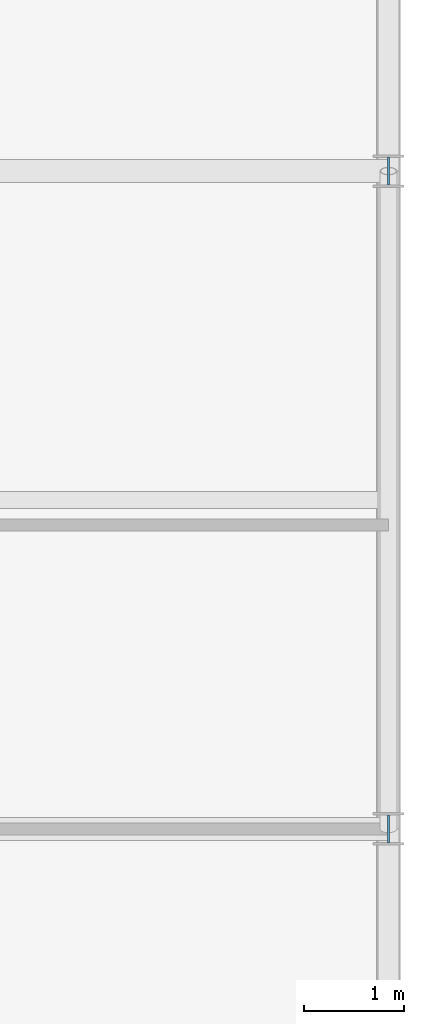
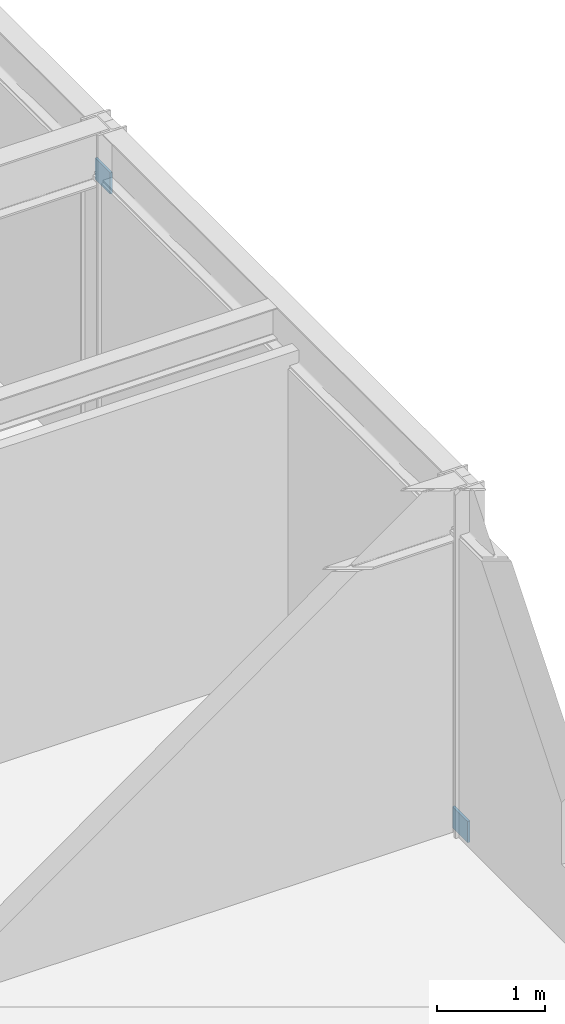
# One storey, part 115 of 134: 2 plates.
"""IFC4 building model written with IfcOpenShell, lengths in metres."""

from ifc_helpers import new_model, si_unit, direction, frame, origin, origin_2d, place, context, subcontext, project, spatial, rectangle, extrude, material, layer, layer_set, type_object, element, save


model = new_model("IFC4")

# Units and contexts
model_context = context("Model", 3, precision=1e-05, world=origin(), true_north=direction((0.0, 1.0)))
body_context = subcontext(model_context, "Body", "Model", "MODEL_VIEW")
ifc_project = project(units=[si_unit("LENGTHUNIT", "METRE"), si_unit("AREAUNIT", "SQUARE_METRE"), si_unit("VOLUMEUNIT", "CUBIC_METRE"), si_unit("PLANEANGLEUNIT", "RADIAN"), si_unit("MASSUNIT", "GRAM", prefix="KILO")], contexts=[model_context])

# Site, building, storey
site_placement = place(None, origin())
site = spatial("IfcSite", under=ifc_project, at=site_placement, CompositionType="ELEMENT")
building_placement = place(site_placement, origin())
building = spatial("IfcBuilding", under=site, at=building_placement, Name="Karori Crest Natural Sciences Institute", CompositionType="ELEMENT")
storey_placement = place(building_placement, frame((0.0, 0.0, 21.699951171875)))
storey = spatial("IfcBuildingStorey", under=building, at=storey_placement, Name="L05", CompositionType="ELEMENT", Elevation=21.699951171875)

# Plates
ifc_material = material(Name="Structural steel AS/NZS 3679.1 Grade 350", Category="steel")
ifc_layer = layer(ifc_material, 0.02490234375, Name="Structural steel AS/NZS 3679.1 Grade 350")
ifc_layer_set = layer_set([ifc_layer], Name="Structural steel AS/NZS 3679.1 Grade 350")
plate_type = type_object("IfcPlateType", Name="PLT-06-EL", PredefinedType="SHEET", material=ifc_layer_set)
for number, where, z_axis, x_axis, name in (
    (1, (162.199951171875, 7.39990234375, -0.10986328125), (0.0, 0.0, 1.0), (0.0, 1.0, 0.0), "Brace gusset plate EP-0410"),
    (2, (162.199951171875, 14.0, 3.1982421875), (0.0, 0.0, 1.0), (0.0, 1.0, 0.0), "Brace gusset plate EP-0411"),
):
    element("IfcPlate", number, at=place(storey_placement, frame(where, z_axis=z_axis, x_axis=x_axis)), inside=storey, type_object=plate_type, Name=name, PredefinedType="SHEET", context=body_context, shape_type="SweptSolid", body=[
        extrude(rectangle(XDim=0.280029296875, YDim=0.02490234375, at=origin_2d()), origin(), (0.0, 0.0, 1.0), 0.239990234375),
    ])

save(model, "model.ifc")
